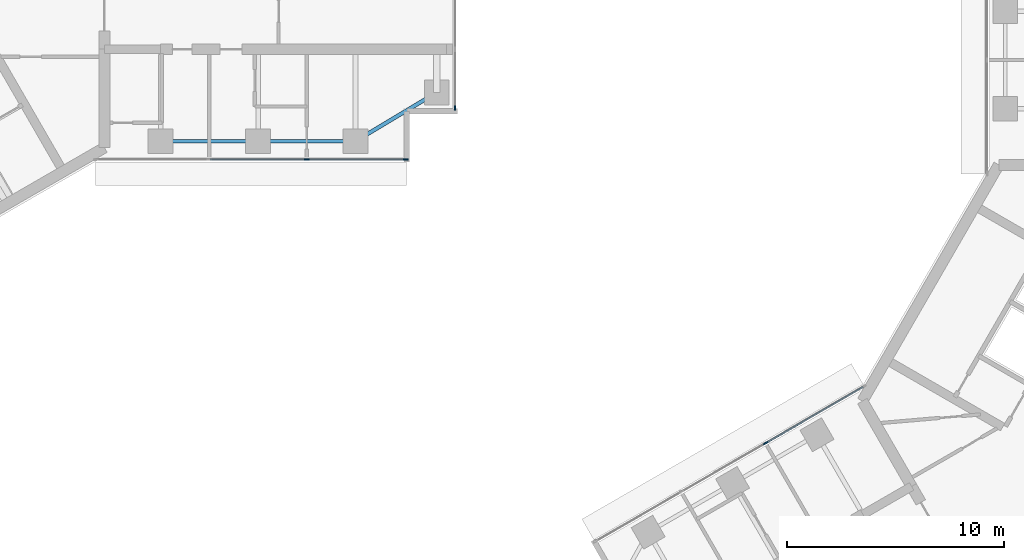
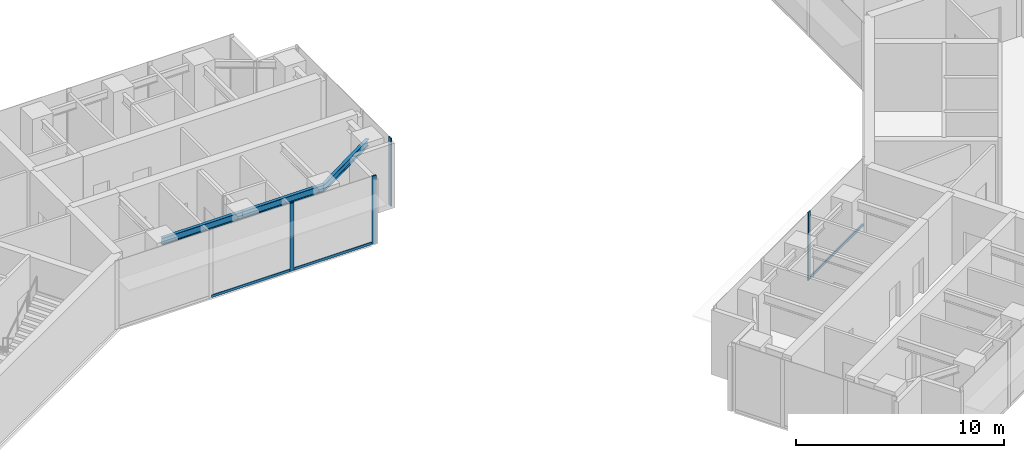
# One storey, part 4 of 17: 7 members, 3 beams, 3 elements without a shape of their own.
"""IFC4 building model written with IfcOpenShell, lengths in metres."""

from ifc_helpers import new_model, si_unit, direction, frame, origin, origin_2d, place, context, subcontext, project, spatial, rectangle, i_section, extrude, material, material_profile, profile_set, type_object, element, aggregate, save


model = new_model("IFC4")

# Units and contexts
model_context = context("Model", 3, precision=1e-05, world=origin(), true_north=direction((0.0, 1.0)))
body_context = subcontext(model_context, "Body", "Model", "MODEL_VIEW")
ifc_project = project(units=[si_unit("LENGTHUNIT", "METRE"), si_unit("AREAUNIT", "SQUARE_METRE"), si_unit("VOLUMEUNIT", "CUBIC_METRE"), si_unit("PLANEANGLEUNIT", "RADIAN"), si_unit("MASSUNIT", "GRAM", prefix="KILO")], contexts=[model_context])

# Site, building, storey
site_placement = place(None, origin())
site = spatial("IfcSite", under=ifc_project, at=site_placement, CompositionType="ELEMENT")
building_placement = place(site_placement, origin())
building = spatial("IfcBuilding", under=site, at=building_placement, Name="Upepo Twin Towers", CompositionType="ELEMENT")
storey_placement = place(building_placement, frame((0.0, 0.0, 214.5)))
storey = spatial("IfcBuildingStorey", under=building, at=storey_placement, Name="L52", CompositionType="ELEMENT", Elevation=214.5)

# Beams
ifc_material_1 = material(Name="Steel S355", Category="steel")
ifc_material_profile_1 = material_profile(ifc_material_1, i_section(OverallWidth=0.177978515625, OverallDepth=0.406494140625, WebThickness=0.0078125, FlangeThickness=0.0126953125, FilletRadius=0.01025390625, at=origin_2d()), Name="UB 406x178x60")
ifc_profile_set_1 = profile_set([ifc_material_profile_1], Name="Steel S355")
beam_type = type_object("IfcBeamType", Name="Beam UB 406x178x60", PredefinedType="BEAM", material=ifc_profile_set_1)
for number, where, z_axis, x_axis, name in (
    (1, (13.5, -6.0, 3.5966796875), (1.0, 0.0, 0.0), (0.0, 1.0, 0.0), "T1 edge beam AR 13.5-18.0"),
    (2, (18.0, -6.0, 3.5966796875), (1.0, 0.0, 0.0), (0.0, 1.0, 0.0), "T1 edge beam AR 18.0-22.5"),
):
    element("IfcBeam", number, at=place(storey_placement, frame(where, z_axis=z_axis, x_axis=x_axis)), inside=storey, type_object=beam_type, Name=name, PredefinedType="BEAM", context=body_context, shape_type="SweptSolid", body=[
        extrude(i_section(OverallWidth=0.177978515625, OverallDepth=0.406494140625, WebThickness=0.0078125, FlangeThickness=0.0126953125, FilletRadius=0.01025390625, at=origin_2d()), origin(), (0.0, 0.0, 1.0), 4.5),
    ])
beam_placement = place(storey_placement, frame((22.5, -6.0, 3.5966796875), z_axis=(0.857492925713, 0.514495755428, 0.0), x_axis=(-0.514495755428, 0.857492925713, 0.0)))
element("IfcBeam", 3, at=beam_placement, inside=storey, type_object=beam_type, Name="T1 nose edge beam AR", PredefinedType="BEAM", context=body_context, shape_type="SweptSolid", body=[
    extrude(i_section(OverallWidth=0.177978515625, OverallDepth=0.406494140625, WebThickness=0.0078125, FlangeThickness=0.0126953125, FilletRadius=0.01025390625, at=origin_2d()), origin(), (0.0, 0.0, 1.0), 4.373291015625),
])

# Curtain wall, members
ifc_material_2 = material(Name="Aluminium and fritted glass", Category="aluminium")
curtain_wall_type = type_object("IfcCurtainWallType", Name="Tower curtain wall TW3, fritted glass", PredefinedType="NOTDEFINED", material=ifc_material_2)
curtain_wall_1_placement = place(storey_placement, origin())
curtain_wall_1 = element("IfcCurtainWall", 4, at=curtain_wall_1_placement, inside=storey, type_object=curtain_wall_type, Name="T1 L52 wing A flank R curtain wall", PredefinedType="NOTDEFINED")
ifc_material_3 = material(Name="Aluminium mullion", Category="aluminium")
ifc_material_profile_2 = material_profile(ifc_material_3, rectangle(XDim=0.06494140625, YDim=0.22509765625, at=origin_2d()), Name="MULLION 65x225")
ifc_profile_set_2 = profile_set([ifc_material_profile_2], Name="Aluminium mullion")
member_type_1 = type_object("IfcMemberType", Name="Mullion 65x225 TW3", PredefinedType="MULLION", material=ifc_profile_set_2)
member_1_placement = place(storey_placement, frame((24.8173828125, -6.85009765625, 0.0), z_axis=(0.0, 0.0, 1.0), x_axis=(0.0, -1.0, 0.0)))
member_1 = element("IfcMember", 5, at=member_1_placement, type_object=member_type_1, Name="T1 L52 wing A flank R curtain wall mullion 1", PredefinedType="MULLION", context=body_context, shape_type="SweptSolid", body=[
    extrude(rectangle(XDim=0.06494140625, YDim=0.22509765625, at=origin_2d()), origin(), (0.0, 0.0, 1.0), 4.0),
])
member_2_placement = place(storey_placement, frame((20.25, -6.85009765625, 0.0), z_axis=(0.0, 0.0, 1.0), x_axis=(0.0, -1.0, 0.0)))
member_2 = element("IfcMember", 6, at=member_2_placement, type_object=member_type_1, Name="T1 L52 wing A flank R curtain wall mullion 2", PredefinedType="MULLION", context=body_context, shape_type="SweptSolid", body=[
    extrude(rectangle(XDim=0.06494140625, YDim=0.22509765625, at=origin_2d()), origin(), (0.0, 0.0, 1.0), 4.0),
])

# Curtain wall, member
curtain_wall_2_placement = place(storey_placement, origin())
curtain_wall_2 = element("IfcCurtainWall", 7, at=curtain_wall_2_placement, inside=storey, type_object=curtain_wall_type, Name="T1 L52 wing A nose curtain wall", PredefinedType="NOTDEFINED")
member_3_placement = place(storey_placement, frame((27.10009765625, -4.467529296875, 0.0), z_axis=(0.0, 0.0, 1.0), x_axis=(-1.0, 0.0, 0.0)))
member_3 = element("IfcMember", 8, at=member_3_placement, type_object=member_type_1, Name="T1 L52 wing A nose curtain wall mullion 1", PredefinedType="MULLION", context=body_context, shape_type="SweptSolid", body=[
    extrude(rectangle(XDim=0.06494140625, YDim=0.22509765625, at=origin_2d()), origin(), (0.0, 0.0, 1.0), 4.0),
])
aggregate(curtain_wall_2, [member_3])

curtain_wall_3_placement = place(storey_placement, origin())
curtain_wall_3 = element("IfcCurtainWall", 9, at=curtain_wall_3_placement, inside=storey, type_object=curtain_wall_type, Name="T2 L52 wing B flank R curtain wall", PredefinedType="NOTDEFINED")
member_4_placement = place(storey_placement, frame((41.43505859375, -19.942626953125, 0.0), z_axis=(0.0, 0.0, 1.0), x_axis=(-0.500000026527, 0.866025388469, 0.0)))
member_4 = element("IfcMember", 10, at=member_4_placement, type_object=member_type_1, Name="T2 L52 wing B flank R curtain wall mullion 3", PredefinedType="MULLION", context=body_context, shape_type="SweptSolid", body=[
    extrude(rectangle(XDim=0.06494140625, YDim=0.22509765625, at=origin_2d()), origin(), (0.0, 0.0, 1.0), 4.0),
])

# Member
ifc_material_4 = material(Name="Aluminium transom", Category="aluminium")
ifc_material_profile_3 = material_profile(ifc_material_4, rectangle(XDim=0.06494140625, YDim=0.14990234375, at=origin_2d()), Name="TRANSOM 65x150")
ifc_profile_set_3 = profile_set([ifc_material_profile_3], Name="Aluminium transom")
member_type_2 = type_object("IfcMemberType", Name="Transom 65x150 TW3", PredefinedType="USERDEFINED", material=ifc_profile_set_3)
member_5_placement = place(storey_placement, frame((24.784912109375, -6.85009765625, 0.074951171875), z_axis=(-1.0, 0.0, 0.0), x_axis=(0.0, -1.0, 0.0)))
member_5 = element("IfcMember", 11, at=member_5_placement, type_object=member_type_2, Name="T1 L52 wing A flank R curtain wall transom 1", ObjectType="TRANSOM", PredefinedType="USERDEFINED", context=body_context, shape_type="SweptSolid", body=[
    extrude(rectangle(XDim=0.06494140625, YDim=0.14990234375, at=origin_2d()), origin(), (0.0, 0.0, 1.0), 4.50244140625),
])

member_6_placement = place(storey_placement, frame((20.217529296875, -6.85009765625, 0.074951171875), z_axis=(-1.0, 0.0, 0.0), x_axis=(0.0, -1.0, 0.0)))
member_6 = element("IfcMember", 12, at=member_6_placement, type_object=member_type_2, Name="T1 L52 wing A flank R curtain wall transom 2", ObjectType="TRANSOM", PredefinedType="USERDEFINED", context=body_context, shape_type="SweptSolid", body=[
    extrude(rectangle(XDim=0.06494140625, YDim=0.14990234375, at=origin_2d()), origin(), (0.0, 0.0, 1.0), 4.43505859375),
])

aggregate(curtain_wall_1, [member_1, member_2, member_5, member_6])

member_7_placement = place(storey_placement, frame((41.463134765625, -19.926513671875, 0.074951171875), z_axis=(0.86602108507, 0.500007480159, 0.0), x_axis=(-0.500007480159, 0.86602108507, 0.0)))
member_7 = element("IfcMember", 13, at=member_7_placement, type_object=member_type_2, Name="T2 L52 wing B flank R curtain wall transom 3", ObjectType="TRANSOM", PredefinedType="USERDEFINED", context=body_context, shape_type="SweptSolid", body=[
    extrude(rectangle(XDim=0.06494140625, YDim=0.14990234375, at=origin_2d()), origin(), (0.0, 0.0, 1.0), 5.16552734375),
])

aggregate(curtain_wall_3, [member_4, member_7])

save(model, "model.ifc")
